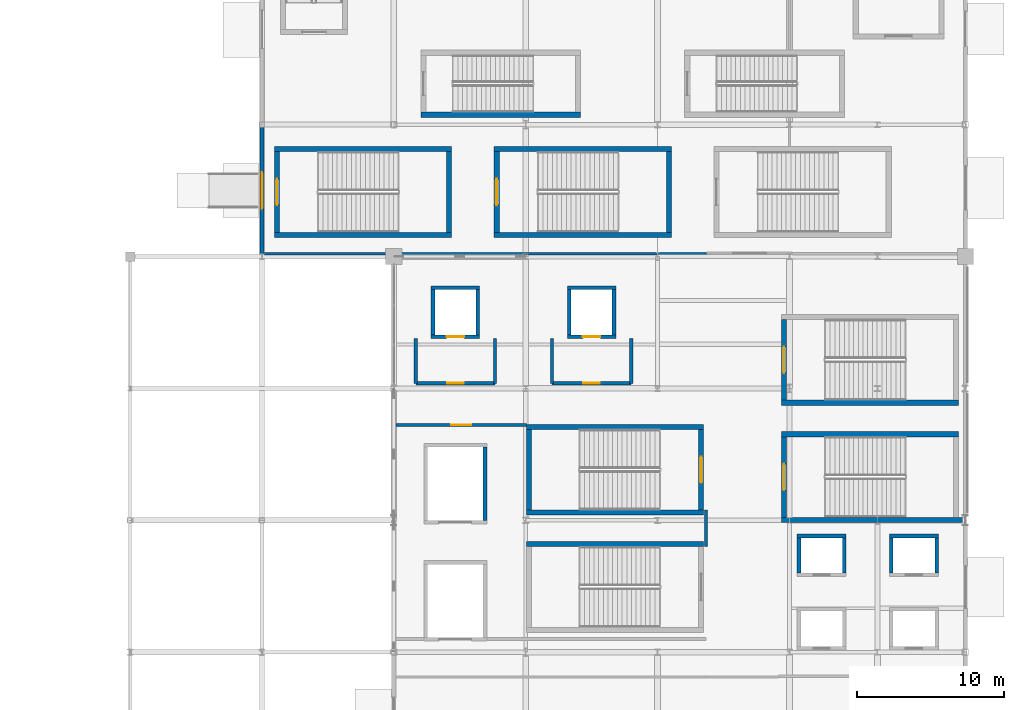
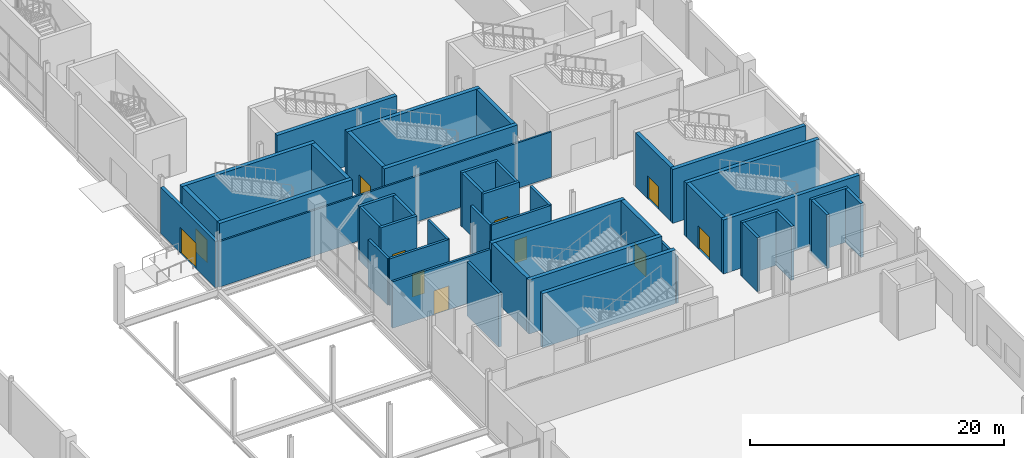
# One storey, part 61 of 94: 44 walls, 11 doors, 11 openings.
"""IFC4 building model written with IfcOpenShell, lengths in metres."""

from ifc_helpers import new_model, si_unit, direction, frame, frame_2d, origin, place, context, subcontext, project, spatial, rectangle, extrude, material, layer, layer_set, type_object, element, fill, save


model = new_model("IFC4")

# Units and contexts
model_context = context("Model", 3, precision=1e-05, world=origin(), true_north=direction((0.0, 1.0)))
body_context = subcontext(model_context, "Body", "Model", "MODEL_VIEW")
ifc_project = project(units=[si_unit("LENGTHUNIT", "METRE"), si_unit("AREAUNIT", "SQUARE_METRE"), si_unit("VOLUMEUNIT", "CUBIC_METRE"), si_unit("PLANEANGLEUNIT", "RADIAN"), si_unit("MASSUNIT", "GRAM", prefix="KILO")], contexts=[model_context])

# Site, building, storey
site_placement = place(None, origin())
site = spatial("IfcSite", under=ifc_project, at=site_placement, CompositionType="ELEMENT")
building_placement = place(site_placement, origin())
building = spatial("IfcBuilding", under=site, at=building_placement, Name="Qamarlyn Nura Convention Centre", CompositionType="ELEMENT")
storey_placement = place(building_placement, origin())
storey = spatial("IfcBuildingStorey", under=building, at=storey_placement, Name="L00", CompositionType="ELEMENT", Elevation=0.0)

# Wall, opening, door
ifc_material_1 = material(Name="Fire-rated acoustic gypsum board and mineral wool EI 120")
ifc_layer_1 = layer(ifc_material_1, 0.219970703125, Name="WT-COMP-220")
ifc_layer_set_1 = layer_set([ifc_layer_1], Name="Fire-rated acoustic gypsum board and mineral wool EI 120")
wall_type_1 = type_object("IfcWallType", Name="WT-COMP-220", PredefinedType="SOLIDWALL", material=ifc_layer_set_1)
wall_1_placement = place(storey_placement, frame((154.5, 72.35009765625, 0.0), z_axis=(0.0, 0.0, 1.0), x_axis=(1.0, 0.0, 0.0)))
wall_1 = element("IfcWall", 1, at=wall_1_placement, inside=storey, type_object=wall_type_1, Name="L00 firefighting lobby barrier wall FFL-03-OPP", PredefinedType="SOLIDWALL", context=body_context, shape_type="SweptSolid", body=[
    extrude(rectangle(XDim=5.39990234375, YDim=0.219970703125, at=frame_2d((2.699951171875, 0.0))), origin(), (0.0, 0.0, 1.0), 4.469970703125),
])
opening_1_placement = place(wall_1_placement, frame((2.139892578125, 0.0, 0.0)))
opening_1 = element("IfcOpeningElement", 2, at=opening_1_placement, cuts=wall_1, Name="Opening DF-118", PredefinedType="OPENING", context=body_context, shape_type="SweptSolid", body=[
    extrude(rectangle(XDim=1.1201171875, YDim=2.199951171875, at=frame_2d((0.56005859375, 1.10009765625))), frame((0.0, 0.1201171875, 0.0), z_axis=(0.0, -1.0, 0.0), x_axis=(1.0, 0.0, 0.0)), (0.0, 0.0, 1.0), 0.239990234375),
])
ifc_material_2 = material(Name="Galvanised fire-rated hollow steel door", Category="steel")
door_type_1 = type_object("IfcDoorType", Name="DR-FFL-1120", OperationType="NOTDEFINED", PredefinedType="DOOR", material=ifc_material_2)
door_1_placement = place(opening_1_placement, origin())
door_1 = element("IfcDoor", 3, at=door_1_placement, inside=storey, type_object=door_type_1, Name="L00 firefighting lobby door FFL-03 (DF-118)", OperationType="SINGLE_SWING_RIGHT", OverallHeight=2.199951171875, OverallWidth=1.1201171875, PredefinedType="DOOR", context=body_context, shape_type="SweptSolid", body=[
    extrude(rectangle(XDim=1.1201171875, YDim=2.199951171875, at=frame_2d((0.56005859375, 1.10009765625))), frame((0.0, 0.02490234375, 0.0), z_axis=(0.0, -1.0, 0.0), x_axis=(1.0, 0.0, 0.0)), (0.0, 0.0, 1.0), 0.050048828125),
])
fill(opening_1, door_1)

# Walls
for number, where, z_axis, x_axis, name in (
    (4, (154.5, 72.35009765625, 0.0), (0.0, 0.0, 1.0), (0.0, 1.0, 0.0), "L00 firefighting lobby barrier wall FFL-03-W"),
    (5, (159.89990234375, 72.35009765625, 0.0), (0.0, 0.0, 1.0), (0.0, 1.0, 0.0), "L00 firefighting lobby barrier wall FFL-03-E"),
):
    element("IfcWall", number, at=place(storey_placement, frame(where, z_axis=z_axis, x_axis=x_axis)), inside=storey, type_object=wall_type_1, Name=name, PredefinedType="SOLIDWALL", context=body_context, shape_type="SweptSolid", body=[
        extrude(rectangle(XDim=3.0498046875, YDim=0.219970703125, at=frame_2d((1.52490234375, 0.0))), origin(), (0.0, 0.0, 1.0), 4.469970703125),
    ])

# Wall, opening, door
wall_2_placement = place(storey_placement, frame((163.800048828125, 72.35009765625, 0.0), z_axis=(0.0, 0.0, 1.0), x_axis=(1.0, 0.0, 0.0)))
wall_2 = element("IfcWall", 6, at=wall_2_placement, inside=storey, type_object=wall_type_1, Name="L00 firefighting lobby barrier wall FFL-04-OPP", PredefinedType="SOLIDWALL", context=body_context, shape_type="SweptSolid", body=[
    extrude(rectangle(XDim=5.39990234375, YDim=0.219970703125, at=frame_2d((2.699951171875, 0.0))), origin(), (0.0, 0.0, 1.0), 4.48095703125),
])
opening_2_placement = place(wall_2_placement, frame((2.139892578125, 0.0, 0.0)))
opening_2 = element("IfcOpeningElement", 7, at=opening_2_placement, cuts=wall_2, Name="Opening DF-125", PredefinedType="OPENING", context=body_context, shape_type="SweptSolid", body=[
    extrude(rectangle(XDim=1.1201171875, YDim=2.199951171875, at=frame_2d((0.56005859375, 1.10009765625))), frame((0.0, 0.1201171875, 0.0), z_axis=(0.0, -1.0, 0.0), x_axis=(1.0, 0.0, 0.0)), (0.0, 0.0, 1.0), 0.239990234375),
])
door_2_placement = place(opening_2_placement, origin())
door_2 = element("IfcDoor", 8, at=door_2_placement, inside=storey, type_object=door_type_1, Name="L00 firefighting lobby door FFL-04 (DF-125)", OperationType="SINGLE_SWING_LEFT", OverallHeight=2.199951171875, OverallWidth=1.1201171875, PredefinedType="DOOR", context=body_context, shape_type="SweptSolid", body=[
    extrude(rectangle(XDim=1.1201171875, YDim=2.199951171875, at=frame_2d((0.56005859375, 1.10009765625))), frame((0.0, 0.02490234375, 0.0), z_axis=(0.0, -1.0, 0.0), x_axis=(1.0, 0.0, 0.0)), (0.0, 0.0, 1.0), 0.050048828125),
])
fill(opening_2, door_2)

# Walls
for number, where, z_axis, x_axis, name in (
    (9, (163.800048828125, 72.35009765625, 0.0), (0.0, 0.0, 1.0), (0.0, 1.0, 0.0), "L00 firefighting lobby barrier wall FFL-04-W"),
    (10, (169.199951171875, 72.35009765625, 0.0), (0.0, 0.0, 1.0), (0.0, 1.0, 0.0), "L00 firefighting lobby barrier wall FFL-04-E"),
):
    element("IfcWall", number, at=place(storey_placement, frame(where, z_axis=z_axis, x_axis=x_axis)), inside=storey, type_object=wall_type_1, Name=name, PredefinedType="SOLIDWALL", context=body_context, shape_type="SweptSolid", body=[
        extrude(rectangle(XDim=3.0498046875, YDim=0.219970703125, at=frame_2d((1.52490234375, 0.0))), origin(), (0.0, 0.0, 1.0), 4.48095703125),
    ])
ifc_material_3 = material(Name="Concrete C50/60", Category="concrete")
ifc_layer_2 = layer(ifc_material_3, 0.35009765625, Name="WT-CORE-350")
ifc_layer_set_2 = layer_set([ifc_layer_2], Name="Concrete C50/60")
wall_type_2 = type_object("IfcWallType", Name="WT-CORE-350", PredefinedType="SHEAR", material=ifc_layer_set_2)
for number, where, z_axis, x_axis, name in (
    (11, (174.14990234375, 61.375, 0.0), (0.0, 0.0, 1.0), (-1.0, 0.0, 0.0), "L00 stair core shear wall ST-11-N"),
    (12, (162.050048828125, 63.52490234375, 0.0), (0.0, 0.0, 1.0), (1.0, 0.0, 0.0), "L00 stair core shear wall ST-12-S"),
    (13, (174.14990234375, 69.375, 0.0), (0.0, 0.0, 1.0), (-1.0, 0.0, 0.0), "L00 stair core shear wall ST-12-N"),
):
    element("IfcWall", number, at=place(storey_placement, frame(where, z_axis=z_axis, x_axis=x_axis)), inside=storey, type_object=wall_type_2, Name=name, PredefinedType="SHEAR", context=body_context, shape_type="SweptSolid", body=[
        extrude(rectangle(XDim=12.099853515625, YDim=0.35009765625, at=frame_2d((6.0498046875, 0.0))), origin(), (0.0, 0.0, 1.0), 5.179931640625),
    ])
wall_3_placement = place(storey_placement, frame((162.22509765625, 69.199951171875, 0.0), z_axis=(0.0, 0.0, 1.0), x_axis=(0.0, -1.0, 0.0)))
element("IfcWall", 14, at=wall_3_placement, inside=storey, type_object=wall_type_2, Name="L00 stair core shear wall ST-12-W", PredefinedType="SHEAR", context=body_context, shape_type="SweptSolid", body=[
    extrude(rectangle(XDim=5.5, YDim=0.35009765625, at=frame_2d((2.75, 0.0))), origin(), (0.0, 0.0, 1.0), 5.179931640625),
])

# Wall, opening, door
wall_4_placement = place(storey_placement, frame((173.97509765625, 63.699951171875, 0.0), z_axis=(0.0, 0.0, 1.0), x_axis=(0.0, 1.0, 0.0)))
wall_4 = element("IfcWall", 15, at=wall_4_placement, inside=storey, type_object=wall_type_2, Name="L00 stair core shear wall ST-12-E", PredefinedType="SHEAR", context=body_context, shape_type="SweptSolid", body=[
    extrude(rectangle(XDim=5.5, YDim=0.35009765625, at=frame_2d((2.75, 0.0))), origin(), (0.0, 0.0, 1.0), 5.179931640625),
])
opening_3_placement = place(wall_4_placement, frame((1.85009765625, 0.0, 0.0)))
opening_3 = element("IfcOpeningElement", 16, at=opening_3_placement, cuts=wall_4, Name="Opening DS-051", PredefinedType="OPENING", context=body_context, shape_type="SweptSolid", body=[
    extrude(rectangle(XDim=1.800048828125, YDim=2.199951171875, at=frame_2d((0.89990234375, 1.10009765625))), frame((0.0, 0.18505859375, 0.0), z_axis=(0.0, -1.0, 0.0), x_axis=(1.0, 0.0, 0.0)), (0.0, 0.0, 1.0), 0.3701171875),
])
door_type_2 = type_object("IfcDoorType", Name="DR-STAIR-1800", OperationType="DOUBLE_DOOR_SINGLE_SWING", PredefinedType="DOOR", material=ifc_material_2)
door_3_placement = place(opening_3_placement, origin())
door_3 = element("IfcDoor", 17, at=door_3_placement, inside=storey, type_object=door_type_2, Name="L00 exit stair door ST-12 (DS-051)", OperationType="DOUBLE_DOOR_SINGLE_SWING", OverallHeight=2.199951171875, OverallWidth=1.800048828125, PredefinedType="DOOR", context=body_context, shape_type="SweptSolid", body=[
    extrude(rectangle(XDim=1.800048828125, YDim=2.199951171875, at=frame_2d((0.89990234375, 1.10009765625))), frame((0.0, 0.02490234375, 0.0), z_axis=(0.0, -1.0, 0.0), x_axis=(1.0, 0.0, 0.0)), (0.0, 0.0, 1.0), 0.050048828125),
])
fill(opening_3, door_3)

# Walls
wall_5_placement = place(storey_placement, frame((179.449951171875, 63.02490234375, 0.0), z_axis=(0.0, 0.0, 1.0), x_axis=(1.0, 0.0, 0.0)))
element("IfcWall", 18, at=wall_5_placement, inside=storey, type_object=wall_type_2, Name="L00 stair core shear wall ST-13-S", PredefinedType="SHEAR", context=body_context, shape_type="SweptSolid", body=[
    extrude(rectangle(XDim=12.37255859375, YDim=0.35009765625, at=frame_2d((6.186279296875, 0.0))), origin(), (0.0, 0.0, 1.0), 5.179931640625),
])
wall_6_placement = place(storey_placement, frame((191.550048828125, 68.875, 0.0), z_axis=(0.0, 0.0, 1.0), x_axis=(-1.0, 0.0, 0.0)))
element("IfcWall", 19, at=wall_6_placement, inside=storey, type_object=wall_type_2, Name="L00 stair core shear wall ST-13-N", PredefinedType="SHEAR", context=body_context, shape_type="SweptSolid", body=[
    extrude(rectangle(XDim=12.10009765625, YDim=0.35009765625, at=frame_2d((6.050048828125, 0.0))), origin(), (0.0, 0.0, 1.0), 5.179931640625),
])

# Wall, opening, door
wall_7_placement = place(storey_placement, frame((179.625, 68.699951171875, 0.0), z_axis=(0.0, 0.0, 1.0), x_axis=(0.0, -1.0, 0.0)))
wall_7 = element("IfcWall", 20, at=wall_7_placement, inside=storey, type_object=wall_type_2, Name="L00 stair core shear wall ST-13-W", PredefinedType="SHEAR", context=body_context, shape_type="SweptSolid", body=[
    extrude(rectangle(XDim=5.5, YDim=0.35009765625, at=frame_2d((2.75, 0.0))), origin(), (0.0, 0.0, 1.0), 5.179931640625),
])
opening_4_placement = place(wall_7_placement, frame((1.85009765625, 0.0, 0.0)))
opening_4 = element("IfcOpeningElement", 21, at=opening_4_placement, cuts=wall_7, Name="Opening DS-058", PredefinedType="OPENING", context=body_context, shape_type="SweptSolid", body=[
    extrude(rectangle(XDim=1.800048828125, YDim=2.199951171875, at=frame_2d((0.89990234375, 1.10009765625))), frame((0.0, 0.18505859375, 0.0), z_axis=(0.0, -1.0, 0.0), x_axis=(1.0, 0.0, 0.0)), (0.0, 0.0, 1.0), 0.3701171875),
])
door_4_placement = place(opening_4_placement, origin())
door_4 = element("IfcDoor", 22, at=door_4_placement, inside=storey, type_object=door_type_2, Name="L00 exit stair door ST-13 (DS-058)", OperationType="DOUBLE_DOOR_SINGLE_SWING", OverallHeight=2.199951171875, OverallWidth=1.800048828125, PredefinedType="DOOR", context=body_context, shape_type="SweptSolid", body=[
    extrude(rectangle(XDim=1.800048828125, YDim=2.199951171875, at=frame_2d((0.89990234375, 1.10009765625))), frame((0.0, 0.02490234375, 0.0), z_axis=(0.0, -1.0, 0.0), x_axis=(1.0, 0.0, 0.0)), (0.0, 0.0, 1.0), 0.050048828125),
])
fill(opening_4, door_4)

# Wall
wall_8_placement = place(storey_placement, frame((179.449951171875, 71.02490234375, 0.0), z_axis=(0.0, 0.0, 1.0), x_axis=(1.0, 0.0, 0.0)))
element("IfcWall", 23, at=wall_8_placement, inside=storey, type_object=wall_type_2, Name="L00 stair core shear wall ST-14-S", PredefinedType="SHEAR", context=body_context, shape_type="SweptSolid", body=[
    extrude(rectangle(XDim=12.10009765625, YDim=0.35009765625, at=frame_2d((6.050048828125, 0.0))), origin(), (0.0, 0.0, 1.0), 5.179931640625),
])

# Wall, opening, door
wall_9_placement = place(storey_placement, frame((179.625, 76.699951171875, 0.0), z_axis=(0.0, 0.0, 1.0), x_axis=(0.0, -1.0, 0.0)))
wall_9 = element("IfcWall", 24, at=wall_9_placement, inside=storey, type_object=wall_type_2, Name="L00 stair core shear wall ST-14-W", PredefinedType="SHEAR", context=body_context, shape_type="SweptSolid", body=[
    extrude(rectangle(XDim=5.5, YDim=0.35009765625, at=frame_2d((2.75, 0.0))), origin(), (0.0, 0.0, 1.0), 5.179931640625),
])
opening_5_placement = place(wall_9_placement, frame((1.85009765625, 0.0, 0.0)))
opening_5 = element("IfcOpeningElement", 25, at=opening_5_placement, cuts=wall_9, Name="Opening DS-065", PredefinedType="OPENING", context=body_context, shape_type="SweptSolid", body=[
    extrude(rectangle(XDim=1.800048828125, YDim=2.199951171875, at=frame_2d((0.89990234375, 1.10009765625))), frame((0.0, 0.18505859375, 0.0), z_axis=(0.0, -1.0, 0.0), x_axis=(1.0, 0.0, 0.0)), (0.0, 0.0, 1.0), 0.3701171875),
])
door_5_placement = place(opening_5_placement, origin())
door_5 = element("IfcDoor", 26, at=door_5_placement, inside=storey, type_object=door_type_2, Name="L00 exit stair door ST-14 (DS-065)", OperationType="DOUBLE_DOOR_SINGLE_SWING", OverallHeight=2.199951171875, OverallWidth=1.800048828125, PredefinedType="DOOR", context=body_context, shape_type="SweptSolid", body=[
    extrude(rectangle(XDim=1.800048828125, YDim=2.199951171875, at=frame_2d((0.89990234375, 1.10009765625))), frame((0.0, 0.02490234375, 0.0), z_axis=(0.0, -1.0, 0.0), x_axis=(1.0, 0.0, 0.0)), (0.0, 0.0, 1.0), 0.050048828125),
])
fill(opening_5, door_5)

# Walls
for number, where, z_axis, x_axis, name in (
    (27, (144.85009765625, 82.47509765625, 0.0), (0.0, 0.0, 1.0), (1.0, 0.0, 0.0), "L00 stair core shear wall ST-15-S"),
    (28, (156.949951171875, 88.324951171875, 0.0), (0.0, 0.0, 1.0), (-1.0, 0.0, 0.0), "L00 stair core shear wall ST-15-N"),
):
    element("IfcWall", number, at=place(storey_placement, frame(where, z_axis=z_axis, x_axis=x_axis)), inside=storey, type_object=wall_type_2, Name=name, PredefinedType="SHEAR", context=body_context, shape_type="SweptSolid", body=[
        extrude(rectangle(XDim=12.099853515625, YDim=0.35009765625, at=frame_2d((6.0498046875, 0.0))), origin(), (0.0, 0.0, 1.0), 5.159912109375),
    ])

# Wall, opening, door
wall_10_placement = place(storey_placement, frame((145.02490234375, 88.14990234375, 0.0), z_axis=(0.0, 0.0, 1.0), x_axis=(0.0, -1.0, 0.0)))
wall_10 = element("IfcWall", 29, at=wall_10_placement, inside=storey, type_object=wall_type_2, Name="L00 stair core shear wall ST-15-W", PredefinedType="SHEAR", context=body_context, shape_type="SweptSolid", body=[
    extrude(rectangle(XDim=5.5, YDim=0.35009765625, at=frame_2d((2.75, 0.0))), origin(), (0.0, 0.0, 1.0), 5.159912109375),
])
opening_6_placement = place(wall_10_placement, frame((1.85009765625, 0.0, 0.0)))
opening_6 = element("IfcOpeningElement", 30, at=opening_6_placement, cuts=wall_10, Name="Opening DS-072", PredefinedType="OPENING", context=body_context, shape_type="SweptSolid", body=[
    extrude(rectangle(XDim=1.800048828125, YDim=2.199951171875, at=frame_2d((0.89990234375, 1.10009765625))), frame((0.0, 0.18505859375, 0.0), z_axis=(0.0, -1.0, 0.0), x_axis=(1.0, 0.0, 0.0)), (0.0, 0.0, 1.0), 0.3701171875),
])
door_6_placement = place(opening_6_placement, origin())
door_6 = element("IfcDoor", 31, at=door_6_placement, inside=storey, type_object=door_type_2, Name="L00 exit stair door ST-15 (DS-072)", OperationType="DOUBLE_DOOR_SINGLE_SWING", OverallHeight=2.199951171875, OverallWidth=1.800048828125, PredefinedType="DOOR", context=body_context, shape_type="SweptSolid", body=[
    extrude(rectangle(XDim=1.800048828125, YDim=2.199951171875, at=frame_2d((0.89990234375, 1.10009765625))), frame((0.0, 0.02490234375, 0.0), z_axis=(0.0, -1.0, 0.0), x_axis=(1.0, 0.0, 0.0)), (0.0, 0.0, 1.0), 0.050048828125),
])
fill(opening_6, door_6)

# Walls
wall_11_placement = place(storey_placement, frame((156.77490234375, 82.64990234375, 0.0), z_axis=(0.0, 0.0, 1.0), x_axis=(0.0, 1.0, 0.0)))
element("IfcWall", 32, at=wall_11_placement, inside=storey, type_object=wall_type_2, Name="L00 stair core shear wall ST-15-E", PredefinedType="SHEAR", context=body_context, shape_type="SweptSolid", body=[
    extrude(rectangle(XDim=5.5, YDim=0.35009765625, at=frame_2d((2.75, 0.0))), origin(), (0.0, 0.0, 1.0), 5.159912109375),
])
for number, where, z_axis, x_axis, name in (
    (33, (159.85009765625, 82.47509765625, 0.0), (0.0, 0.0, 1.0), (1.0, 0.0, 0.0), "L00 stair core shear wall ST-16-S"),
    (34, (171.949951171875, 88.324951171875, 0.0), (0.0, 0.0, 1.0), (-1.0, 0.0, 0.0), "L00 stair core shear wall ST-16-N"),
):
    element("IfcWall", number, at=place(storey_placement, frame(where, z_axis=z_axis, x_axis=x_axis)), inside=storey, type_object=wall_type_2, Name=name, PredefinedType="SHEAR", context=body_context, shape_type="SweptSolid", body=[
        extrude(rectangle(XDim=12.099853515625, YDim=0.35009765625, at=frame_2d((6.0498046875, 0.0))), origin(), (0.0, 0.0, 1.0), 5.159912109375),
    ])

# Wall, opening, door
wall_12_placement = place(storey_placement, frame((160.02490234375, 88.14990234375, 0.0), z_axis=(0.0, 0.0, 1.0), x_axis=(0.0, -1.0, 0.0)))
wall_12 = element("IfcWall", 35, at=wall_12_placement, inside=storey, type_object=wall_type_2, Name="L00 stair core shear wall ST-16-W", PredefinedType="SHEAR", context=body_context, shape_type="SweptSolid", body=[
    extrude(rectangle(XDim=5.5, YDim=0.35009765625, at=frame_2d((2.75, 0.0))), origin(), (0.0, 0.0, 1.0), 5.159912109375),
])
opening_7_placement = place(wall_12_placement, frame((1.85009765625, 0.0, 0.0)))
opening_7 = element("IfcOpeningElement", 36, at=opening_7_placement, cuts=wall_12, Name="Opening DS-078", PredefinedType="OPENING", context=body_context, shape_type="SweptSolid", body=[
    extrude(rectangle(XDim=1.800048828125, YDim=2.199951171875, at=frame_2d((0.89990234375, 1.10009765625))), frame((0.0, 0.18505859375, 0.0), z_axis=(0.0, -1.0, 0.0), x_axis=(1.0, 0.0, 0.0)), (0.0, 0.0, 1.0), 0.3701171875),
])
door_7_placement = place(opening_7_placement, origin())
door_7 = element("IfcDoor", 37, at=door_7_placement, inside=storey, type_object=door_type_2, Name="L00 exit stair door ST-16 (DS-078)", OperationType="DOUBLE_DOOR_SINGLE_SWING", OverallHeight=2.199951171875, OverallWidth=1.800048828125, PredefinedType="DOOR", context=body_context, shape_type="SweptSolid", body=[
    extrude(rectangle(XDim=1.800048828125, YDim=2.199951171875, at=frame_2d((0.89990234375, 1.10009765625))), frame((0.0, 0.02490234375, 0.0), z_axis=(0.0, -1.0, 0.0), x_axis=(1.0, 0.0, 0.0)), (0.0, 0.0, 1.0), 0.050048828125),
])
fill(opening_7, door_7)

# Walls
wall_13_placement = place(storey_placement, frame((171.77490234375, 82.64990234375, 0.0), z_axis=(0.0, 0.0, 1.0), x_axis=(0.0, 1.0, 0.0)))
element("IfcWall", 38, at=wall_13_placement, inside=storey, type_object=wall_type_2, Name="L00 stair core shear wall ST-16-E", PredefinedType="SHEAR", context=body_context, shape_type="SweptSolid", body=[
    extrude(rectangle(XDim=5.5, YDim=0.35009765625, at=frame_2d((2.75, 0.0))), origin(), (0.0, 0.0, 1.0), 5.159912109375),
])
wall_14_placement = place(storey_placement, frame((154.85009765625, 90.675048828125, 0.0), z_axis=(0.0, 0.0, 1.0), x_axis=(1.0, 0.0, 0.0)))
element("IfcWall", 39, at=wall_14_placement, inside=storey, type_object=wall_type_2, Name="L00 stair core shear wall ST-VOM3-S", PredefinedType="SHEAR", context=body_context, shape_type="SweptSolid", body=[
    extrude(rectangle(XDim=10.89990234375, YDim=0.35009765625, at=frame_2d((5.449951171875, 0.0))), origin(), (0.0, 0.0, 1.0), 5.159912109375),
])

# Wall, opening, door
ifc_material_4 = material(Name="Concrete C40/50", Category="concrete")
ifc_layer_3 = layer(ifc_material_4, 0.280029296875, Name="WT-EXT-280")
ifc_layer_set_3 = layer_set([ifc_layer_3], Name="Concrete C40/50")
wall_type_3 = type_object("IfcWallType", Name="WT-EXT-280", PredefinedType="SOLIDWALL", material=ifc_layer_set_3)
wall_15_placement = place(storey_placement, frame((144.0, 81.18603515625, 0.0), z_axis=(0.0, 0.0, 1.0), x_axis=(0.0, 1.0, 0.0)))
wall_15 = element("IfcWall", 40, at=wall_15_placement, inside=storey, type_object=wall_type_3, Name="L00 exterior facade wall WEXT-L00-1440-812-1440-898", PredefinedType="SOLIDWALL", context=body_context, shape_type="SweptSolid", body=[
    extrude(rectangle(XDim=8.638916015625, YDim=0.280029296875, at=frame_2d((4.3193359375, 0.0))), origin(), (0.0, 0.0, 1.0), 4.449951171875),
])
opening_8_placement = place(wall_15_placement, frame((3.069580078125, 0.0, 0.0)))
opening_8 = element("IfcOpeningElement", 41, at=opening_8_placement, cuts=wall_15, Name="Opening E-51", PredefinedType="OPENING", context=body_context, shape_type="SweptSolid", body=[
    extrude(rectangle(XDim=2.5, YDim=2.449951171875, at=frame_2d((1.25, 1.22509765625))), frame((0.0, 0.14990234375, 0.0), z_axis=(0.0, -1.0, 0.0), x_axis=(1.0, 0.0, 0.0)), (0.0, 0.0, 1.0), 0.300048828125),
])
ifc_material_5 = material(Name="Champagne-anodised marine aluminium", Category="aluminium")
door_type_3 = type_object("IfcDoorType", Name="DR-EXIT-2500", OperationType="DOUBLE_DOOR_SINGLE_SWING", PredefinedType="DOOR", material=ifc_material_5)
door_8_placement = place(opening_8_placement, origin())
door_8 = element("IfcDoor", 42, at=door_8_placement, inside=storey, type_object=door_type_3, Name="Final exit E-51", OperationType="DOUBLE_DOOR_SINGLE_SWING", OverallHeight=2.449951171875, OverallWidth=2.5, PredefinedType="DOOR", context=body_context, shape_type="SweptSolid", body=[
    extrude(rectangle(XDim=2.5, YDim=2.449951171875, at=frame_2d((1.25, 1.22509765625))), frame((0.0, 0.02490234375, 0.0), z_axis=(0.0, -1.0, 0.0), x_axis=(1.0, 0.0, 0.0)), (0.0, 0.0, 1.0), 0.050048828125),
])
fill(opening_8, door_8)

# Wall
ifc_material_6 = material(Name="Fire-rated acoustic gypsum board EI 60")
ifc_layer_4 = layer(ifc_material_6, 0.159912109375, Name="WT-PART-160")
ifc_layer_set_4 = layer_set([ifc_layer_4], Name="Fire-rated acoustic gypsum board EI 60")
wall_type_4 = type_object("IfcWallType", Name="WT-PART-160", PredefinedType="PARTITIONING", material=ifc_layer_set_4)
wall_16_placement = place(storey_placement, frame((174.35009765625, 81.199951171875, 0.0), z_axis=(0.0, 0.0, 1.0), x_axis=(-1.0, 0.0, 0.0)))
element("IfcWall", 43, at=wall_16_placement, inside=storey, type_object=wall_type_4, Name="L00 interior partition L00-PLN-FOY0-283-1", PredefinedType="PARTITIONING", context=body_context, shape_type="SweptSolid", body=[
    extrude(rectangle(XDim=30.210205078125, YDim=0.159912109375, at=frame_2d((15.10498046875, 0.0))), origin(), (0.0, 0.0, 1.0), 4.3720703125),
])

# Wall, opening, door
ifc_layer_5 = layer(ifc_material_6, 0.199951171875, Name="WT-PART-200")
ifc_layer_set_5 = layer_set([ifc_layer_5], Name="Fire-rated acoustic gypsum board EI 60")
wall_type_5 = type_object("IfcWallType", Name="WT-PART-200", PredefinedType="PARTITIONING", material=ifc_layer_set_5)
wall_17_placement = place(storey_placement, frame((153.14990234375, 69.510009765625, 0.0), z_axis=(0.0, 0.0, 1.0), x_axis=(1.0, 0.0, 0.0)))
wall_17 = element("IfcWall", 44, at=wall_17_placement, inside=storey, type_object=wall_type_5, Name="L00 interior partition L00-KIT-CENT-1-1", PredefinedType="PARTITIONING", context=body_context, shape_type="SweptSolid", body=[
    extrude(rectangle(XDim=8.900146484375, YDim=0.199951171875, at=frame_2d((4.4501953125, 0.0))), origin(), (0.0, 0.0, 1.0), 4.469970703125),
])
opening_9_placement = place(wall_17_placement, frame((3.77001953125, 0.0, 0.0)))
opening_9 = element("IfcOpeningElement", 45, at=opening_9_placement, cuts=wall_17, Name="Opening D-L00-149", PredefinedType="OPENING", context=body_context, shape_type="SweptSolid", body=[
    extrude(rectangle(XDim=1.360107421875, YDim=2.280029296875, at=frame_2d((0.68017578125, 1.14013671875))), frame((0.0, 0.10986328125, 0.0), z_axis=(0.0, -1.0, 0.0), x_axis=(1.0, 0.0, 0.0)), (0.0, 0.0, 1.0), 0.219970703125),
])
ifc_material_7 = material(Name="Acoustic walnut timber leaf", Category="wood")
door_type_4 = type_object("IfcDoorType", Name="DR-CONF-1360", OperationType="DOUBLE_DOOR_SINGLE_SWING", PredefinedType="DOOR", material=ifc_material_7)
door_9_placement = place(opening_9_placement, origin())
door_9 = element("IfcDoor", 46, at=door_9_placement, inside=storey, type_object=door_type_4, Name="L00 Central Production Kitchen door D-L00-149", OperationType="DOUBLE_DOOR_SINGLE_SWING", OverallHeight=2.280029296875, OverallWidth=1.360107421875, PredefinedType="DOOR", context=body_context, shape_type="SweptSolid", body=[
    extrude(rectangle(XDim=1.360107421875, YDim=2.280029296875, at=frame_2d((0.68017578125, 1.14013671875))), frame((0.0, 0.02490234375, 0.0), z_axis=(0.0, -1.0, 0.0), x_axis=(1.0, 0.0, 0.0)), (0.0, 0.0, 1.0), 0.050048828125),
])
fill(opening_9, door_9)

# Wall
wall_18_placement = place(storey_placement, frame((174.31005859375, 63.699951171875, 0.0), z_axis=(0.0, 0.0, 1.0), x_axis=(0.0, -1.0, 0.0)))
element("IfcWall", 47, at=wall_18_placement, inside=storey, type_object=wall_type_5, Name="L00 interior partition L00-KIT-CENT-60-2", PredefinedType="PARTITIONING", context=body_context, shape_type="SweptSolid", body=[
    extrude(rectangle(XDim=2.5, YDim=0.199951171875, at=frame_2d((1.25, 0.0))), origin(), (0.0, 0.0, 1.0), 4.469970703125),
])

# Wall, opening, door
ifc_layer_6 = layer(ifc_material_1, 0.25, Name="WT-SHAFT-250")
ifc_layer_set_6 = layer_set([ifc_layer_6], Name="Fire-rated acoustic gypsum board and mineral wool EI 120")
wall_type_6 = type_object("IfcWallType", Name="WT-SHAFT-250", PredefinedType="SOLIDWALL", material=ifc_layer_set_6)
wall_19_placement = place(storey_placement, frame((155.550048828125, 75.52490234375, 0.0), z_axis=(0.0, 0.0, 1.0), x_axis=(1.0, 0.0, 0.0)))
wall_19 = element("IfcWall", 48, at=wall_19_placement, inside=storey, type_object=wall_type_6, Name="L00 lift shaft enclosure wall FFL-03 -y", PredefinedType="SOLIDWALL", context=body_context, shape_type="SweptSolid", body=[
    extrude(rectangle(XDim=3.300048828125, YDim=0.25, at=frame_2d((1.64990234375, 0.0))), origin(), (0.0, 0.0, 1.0), 5.179931640625),
])
opening_10_placement = place(wall_19_placement, frame((1.050048828125, 0.0, 0.0)))
opening_10 = element("IfcOpeningElement", 49, at=opening_10_placement, cuts=wall_19, Name="Opening LD-FFL-03-L00", PredefinedType="OPENING", context=body_context, shape_type="SweptSolid", body=[
    extrude(rectangle(XDim=1.199951171875, YDim=2.25, at=frame_2d((0.60009765625, 1.125))), frame((0.0, 0.135009765625, 0.0), z_axis=(0.0, -1.0, 0.0), x_axis=(1.0, 0.0, 0.0)), (0.0, 0.0, 1.0), 0.27001953125),
])
ifc_material_8 = material(Name="Marine Grade 316 stainless steel", Category="steel")
door_type_5 = type_object("IfcDoorType", Name="DR-LD-FFL", OperationType="DOUBLE_DOOR_SLIDING", PredefinedType="DOOR", material=ifc_material_8)
door_10_placement = place(opening_10_placement, origin())
door_10 = element("IfcDoor", 50, at=door_10_placement, inside=storey, type_object=door_type_5, Name="Lift landing door LD-FFL-03-L00", OperationType="DOUBLE_DOOR_SLIDING", OverallHeight=2.25, OverallWidth=1.199951171875, PredefinedType="DOOR", context=body_context, shape_type="SweptSolid", body=[
    extrude(rectangle(XDim=1.199951171875, YDim=2.25, at=frame_2d((0.60009765625, 1.125))), frame((0.0, 0.02490234375, 0.0), z_axis=(0.0, -1.0, 0.0), x_axis=(1.0, 0.0, 0.0)), (0.0, 0.0, 1.0), 0.050048828125),
])
fill(opening_10, door_10)

# Walls
wall_20_placement = place(storey_placement, frame((158.85009765625, 78.875, 0.0), z_axis=(0.0, 0.0, 1.0), x_axis=(-1.0, 0.0, 0.0)))
element("IfcWall", 51, at=wall_20_placement, inside=storey, type_object=wall_type_6, Name="L00 lift shaft enclosure wall FFL-03 +y", PredefinedType="SOLIDWALL", context=body_context, shape_type="SweptSolid", body=[
    extrude(rectangle(XDim=3.300048828125, YDim=0.25, at=frame_2d((1.64990234375, 0.0))), origin(), (0.0, 0.0, 1.0), 5.179931640625),
])
for number, where, z_axis, x_axis, name in (
    (52, (155.675048828125, 78.75, 0.0), (0.0, 0.0, 1.0), (0.0, -1.0, 0.0), "L00 lift shaft enclosure wall FFL-03 -x"),
    (53, (158.72509765625, 75.64990234375, 0.0), (0.0, 0.0, 1.0), (0.0, 1.0, 0.0), "L00 lift shaft enclosure wall FFL-03 +x"),
):
    element("IfcWall", number, at=place(storey_placement, frame(where, z_axis=z_axis, x_axis=x_axis)), inside=storey, type_object=wall_type_6, Name=name, PredefinedType="SOLIDWALL", context=body_context, shape_type="SweptSolid", body=[
        extrude(rectangle(XDim=3.10009765625, YDim=0.25, at=frame_2d((1.550048828125, 0.0))), origin(), (0.0, 0.0, 1.0), 5.179931640625),
    ])

# Wall, opening, door
wall_21_placement = place(storey_placement, frame((164.85009765625, 75.52490234375, 0.0), z_axis=(0.0, 0.0, 1.0), x_axis=(1.0, 0.0, 0.0)))
wall_21 = element("IfcWall", 54, at=wall_21_placement, inside=storey, type_object=wall_type_6, Name="L00 lift shaft enclosure wall FFL-04 -y", PredefinedType="SOLIDWALL", context=body_context, shape_type="SweptSolid", body=[
    extrude(rectangle(XDim=3.2998046875, YDim=0.25, at=frame_2d((1.64990234375, 0.0))), origin(), (0.0, 0.0, 1.0), 5.179931640625),
])
opening_11_placement = place(wall_21_placement, frame((1.050048828125, 0.0, 0.0)))
opening_11 = element("IfcOpeningElement", 55, at=opening_11_placement, cuts=wall_21, Name="Opening LD-FFL-04-L00", PredefinedType="OPENING", context=body_context, shape_type="SweptSolid", body=[
    extrude(rectangle(XDim=1.199951171875, YDim=2.25, at=frame_2d((0.60009765625, 1.125))), frame((0.0, 0.135009765625, 0.0), z_axis=(0.0, -1.0, 0.0), x_axis=(1.0, 0.0, 0.0)), (0.0, 0.0, 1.0), 0.27001953125),
])
door_11_placement = place(opening_11_placement, origin())
door_11 = element("IfcDoor", 56, at=door_11_placement, inside=storey, type_object=door_type_5, Name="Lift landing door LD-FFL-04-L00", OperationType="DOUBLE_DOOR_SLIDING", OverallHeight=2.25, OverallWidth=1.199951171875, PredefinedType="DOOR", context=body_context, shape_type="SweptSolid", body=[
    extrude(rectangle(XDim=1.199951171875, YDim=2.25, at=frame_2d((0.60009765625, 1.125))), frame((0.0, 0.02490234375, 0.0), z_axis=(0.0, -1.0, 0.0), x_axis=(1.0, 0.0, 0.0)), (0.0, 0.0, 1.0), 0.050048828125),
])
fill(opening_11, door_11)

# Walls
wall_22_placement = place(storey_placement, frame((168.14990234375, 78.875, 0.0), z_axis=(0.0, 0.0, 1.0), x_axis=(-1.0, 0.0, 0.0)))
element("IfcWall", 57, at=wall_22_placement, inside=storey, type_object=wall_type_6, Name="L00 lift shaft enclosure wall FFL-04 +y", PredefinedType="SOLIDWALL", context=body_context, shape_type="SweptSolid", body=[
    extrude(rectangle(XDim=3.2998046875, YDim=0.25, at=frame_2d((1.64990234375, 0.0))), origin(), (0.0, 0.0, 1.0), 5.179931640625),
])
for number, where, z_axis, x_axis, name in (
    (58, (164.97509765625, 78.75, 0.0), (0.0, 0.0, 1.0), (0.0, -1.0, 0.0), "L00 lift shaft enclosure wall FFL-04 -x"),
    (59, (168.02490234375, 75.64990234375, 0.0), (0.0, 0.0, 1.0), (0.0, 1.0, 0.0), "L00 lift shaft enclosure wall FFL-04 +x"),
):
    element("IfcWall", number, at=place(storey_placement, frame(where, z_axis=z_axis, x_axis=x_axis)), inside=storey, type_object=wall_type_6, Name=name, PredefinedType="SOLIDWALL", context=body_context, shape_type="SweptSolid", body=[
        extrude(rectangle(XDim=3.10009765625, YDim=0.25, at=frame_2d((1.550048828125, 0.0))), origin(), (0.0, 0.0, 1.0), 5.179931640625),
    ])
wall_23_placement = place(storey_placement, frame((183.875, 61.925048828125, 0.0), z_axis=(0.0, 0.0, 1.0), x_axis=(-1.0, 0.0, 0.0)))
element("IfcWall", 60, at=wall_23_placement, inside=storey, type_object=wall_type_6, Name="L00 lift shaft enclosure wall PL-01 +y", PredefinedType="SOLIDWALL", context=body_context, shape_type="SweptSolid", body=[
    extrude(rectangle(XDim=3.35009765625, YDim=0.25, at=frame_2d((1.675048828125, 0.0))), origin(), (0.0, 0.0, 1.0), 5.179931640625),
])
for number, where, z_axis, x_axis, name in (
    (61, (180.64990234375, 61.800048828125, 0.0), (0.0, 0.0, 1.0), (0.0, -1.0, 0.0), "L00 lift shaft enclosure wall PL-01 -x"),
    (62, (183.75, 59.39990234375, 0.0), (0.0, 0.0, 1.0), (0.0, 1.0, 0.0), "L00 lift shaft enclosure wall PL-01 +x"),
):
    element("IfcWall", number, at=place(storey_placement, frame(where, z_axis=z_axis, x_axis=x_axis)), inside=storey, type_object=wall_type_6, Name=name, PredefinedType="SOLIDWALL", context=body_context, shape_type="SweptSolid", body=[
        extrude(rectangle(XDim=2.400146484375, YDim=0.25, at=frame_2d((1.2001953125, 0.0))), origin(), (0.0, 0.0, 1.0), 5.179931640625),
    ])
wall_24_placement = place(storey_placement, frame((190.175048828125, 61.925048828125, 0.0), z_axis=(0.0, 0.0, 1.0), x_axis=(-1.0, 0.0, 0.0)))
element("IfcWall", 63, at=wall_24_placement, inside=storey, type_object=wall_type_6, Name="L00 lift shaft enclosure wall PL-02 +y", PredefinedType="SOLIDWALL", context=body_context, shape_type="SweptSolid", body=[
    extrude(rectangle(XDim=3.35009765625, YDim=0.25, at=frame_2d((1.675048828125, 0.0))), origin(), (0.0, 0.0, 1.0), 5.179931640625),
])
for number, where, z_axis, x_axis, name in (
    (64, (186.949951171875, 61.800048828125, 0.0), (0.0, 0.0, 1.0), (0.0, -1.0, 0.0), "L00 lift shaft enclosure wall PL-02 -x"),
    (65, (190.050048828125, 59.39990234375, 0.0), (0.0, 0.0, 1.0), (0.0, 1.0, 0.0), "L00 lift shaft enclosure wall PL-02 +x"),
):
    element("IfcWall", number, at=place(storey_placement, frame(where, z_axis=z_axis, x_axis=x_axis)), inside=storey, type_object=wall_type_6, Name=name, PredefinedType="SOLIDWALL", context=body_context, shape_type="SweptSolid", body=[
        extrude(rectangle(XDim=2.400146484375, YDim=0.25, at=frame_2d((1.2001953125, 0.0))), origin(), (0.0, 0.0, 1.0), 5.179931640625),
    ])
wall_25_placement = place(storey_placement, frame((159.22509765625, 63.0, 0.0), z_axis=(0.0, 0.0, 1.0), x_axis=(0.0, 1.0, 0.0)))
element("IfcWall", 66, at=wall_25_placement, inside=storey, type_object=wall_type_6, Name="L00 lift shaft enclosure wall FL-04 +x", PredefinedType="SOLIDWALL", context=body_context, shape_type="SweptSolid", body=[
    extrude(rectangle(XDim=5.0, YDim=0.25, at=frame_2d((2.5, 0.0))), origin(), (0.0, 0.0, 1.0), 5.179931640625),
])

save(model, "model.ifc")
